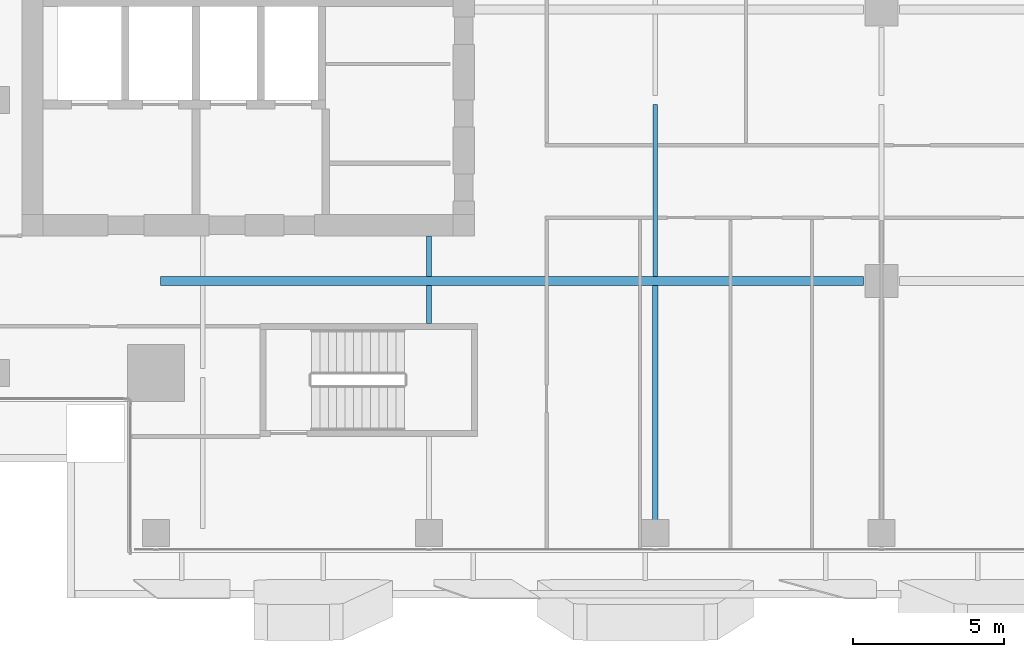
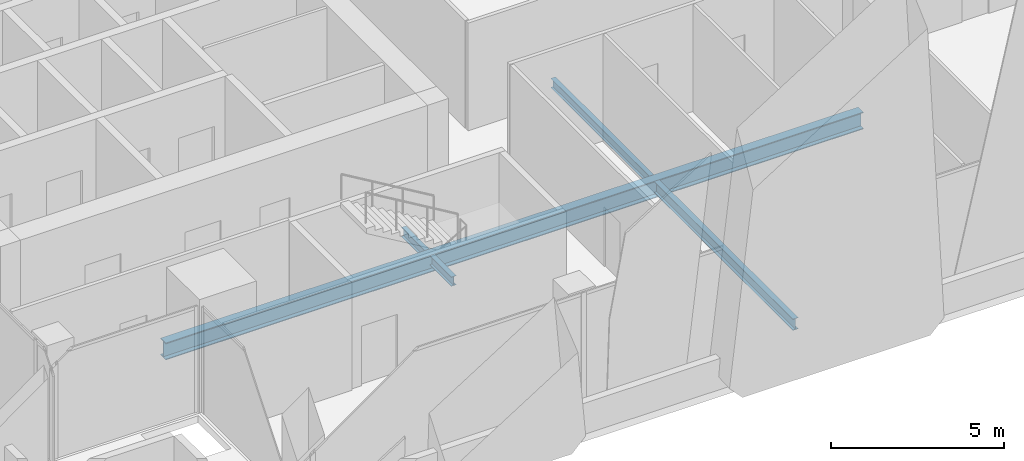
# One storey, part 6 of 33: 5 beams.
"""IFC4 building model written with IfcOpenShell, lengths in metres."""

from ifc_helpers import new_model, si_unit, direction, frame, origin, origin_2d, place, context, subcontext, project, spatial, i_section, extrude, source, transform, mapped, material, material_profile, profile_set, type_object, element, save


model = new_model("IFC4")

# Units and contexts
model_context = context("Model", 3, precision=1e-05, world=origin(), true_north=direction((0.0, 1.0)))
body_context = subcontext(model_context, "Body", "Model", "MODEL_VIEW")
ifc_project = project(units=[si_unit("LENGTHUNIT", "METRE"), si_unit("AREAUNIT", "SQUARE_METRE"), si_unit("VOLUMEUNIT", "CUBIC_METRE"), si_unit("PLANEANGLEUNIT", "RADIAN"), si_unit("MASSUNIT", "GRAM", prefix="KILO")], contexts=[model_context])

# Site, building, storey
site_placement = place(None, origin())
site = spatial("IfcSite", under=ifc_project, at=site_placement, CompositionType="ELEMENT")
building_placement = place(site_placement, origin())
building = spatial("IfcBuilding", under=site, at=building_placement, Name="Khomas Fold Tower", CompositionType="ELEMENT")
storey_placement = place(building_placement, frame((0.0, 0.0, 222.199951171875)))
storey = spatial("IfcBuildingStorey", under=building, at=storey_placement, Name="L49", CompositionType="ELEMENT", Elevation=222.199951171875)

# Beams
ifc_material_1 = material(Name="Steel S355", Category="steel")
ifc_material_profile_1 = material_profile(ifc_material_1, i_section(OverallWidth=0.159912109375, OverallDepth=0.330078125, WebThickness=0.007568359375, FlangeThickness=0.011474609375, at=origin_2d()), Name="IPE 330")
ifc_profile_set_1 = profile_set([ifc_material_profile_1], Name="Steel S355")
beam_type_1 = type_object("IfcBeamType", Name="IPE 330 beam JB1", PredefinedType="BEAM", material=ifc_profile_set_1)
shared_shape_1 = source(origin(), body_context, "Body", "SweptSolid", [
    extrude(i_section(OverallWidth=0.159912109375, OverallDepth=0.330078125, WebThickness=0.007568359375, FlangeThickness=0.011474609375, at=origin_2d()), origin(), (0.0, 0.0, 1.0), 1.25),
])
beam_1_placement = place(storey_placement, frame((19.5, 12.10009765625, -0.4150390625), z_axis=(0.0, 1.0, 0.0), x_axis=(-1.0, 0.0, 0.0)))
element("IfcBeam", 1, at=beam_1_placement, inside=storey, type_object=beam_type_1, Name="JB1", PredefinedType="BEAM", context=body_context, shape_type="MappedRepresentation", body=[
    mapped(shared_shape_1, transform((0.0, 0.0, 0.0))),
])
shared_shape_2 = source(origin(), body_context, "Body", "SweptSolid", [
    extrude(i_section(OverallWidth=0.159912109375, OverallDepth=0.330078125, WebThickness=0.007568359375, FlangeThickness=0.011474609375, at=origin_2d()), origin(), (0.0, 0.0, 1.0), 1.35009765625),
])
beam_2_placement = place(storey_placement, frame((19.5, 13.64990234375, -0.4150390625), z_axis=(0.0, 1.0, 0.0), x_axis=(-1.0, 0.0, 0.0)))
element("IfcBeam", 2, at=beam_2_placement, inside=storey, type_object=beam_type_1, Name="JB1", PredefinedType="BEAM", context=body_context, shape_type="MappedRepresentation", body=[
    mapped(shared_shape_2, transform((0.0, 0.0, 0.0))),
])
ifc_material_2 = material(Name="Steel S355", Category="steel")
ifc_material_profile_2 = material_profile(ifc_material_2, i_section(OverallWidth=0.300048828125, OverallDepth=0.60009765625, WebThickness=0.015380859375, FlangeThickness=0.030029296875, at=origin_2d()), Name="HE 600 B")
ifc_profile_set_2 = profile_set([ifc_material_profile_2], Name="Steel S355")
beam_type_2 = type_object("IfcBeamType", Name="HE 600 B beam GB5", PredefinedType="BEAM", material=ifc_profile_set_2)
shared_shape_3 = source(origin(), body_context, "Body", "SweptSolid", [
    extrude(i_section(OverallWidth=0.300048828125, OverallDepth=0.60009765625, WebThickness=0.015380859375, FlangeThickness=0.030029296875, at=origin_2d()), origin(), (0.0, 0.0, 1.0), 23.2998046875),
])
beam_3_placement = place(storey_placement, frame((10.60009765625, 13.5, -0.550048828125), z_axis=(1.0, 0.0, 0.0), x_axis=(0.0, 1.0, 0.0)))
element("IfcBeam", 3, at=beam_3_placement, inside=storey, type_object=beam_type_2, Name="GB5", PredefinedType="BEAM", context=body_context, shape_type="MappedRepresentation", body=[
    mapped(shared_shape_3, transform((0.0, 0.0, 0.0))),
])
ifc_material_3 = material(Name="Steel S355", Category="steel")
ifc_material_profile_3 = material_profile(ifc_material_3, i_section(OverallWidth=0.179931640625, OverallDepth=0.39990234375, WebThickness=0.008544921875, FlangeThickness=0.013427734375, at=origin_2d()), Name="IPE 400")
ifc_profile_set_3 = profile_set([ifc_material_profile_3], Name="Steel S355")
beam_type_3 = type_object("IfcBeamType", Name="IPE 400 beam JB3", PredefinedType="BEAM", material=ifc_profile_set_3)
shared_shape_4 = source(origin(), body_context, "Body", "SweptSolid", [
    extrude(i_section(OverallWidth=0.179931640625, OverallDepth=0.39990234375, WebThickness=0.008544921875, FlangeThickness=0.013427734375, at=origin_2d()), origin(), (0.0, 0.0, 1.0), 8.025146484375),
])
beam_4_placement = place(storey_placement, frame((27.0, 5.324951171875, -0.449951171875), z_axis=(0.0, 1.0, 0.0), x_axis=(-1.0, 0.0, 0.0)))
element("IfcBeam", 4, at=beam_4_placement, inside=storey, type_object=beam_type_3, Name="JB3", PredefinedType="BEAM", context=body_context, shape_type="MappedRepresentation", body=[
    mapped(shared_shape_4, transform((0.0, 0.0, 0.0))),
])
shared_shape_5 = source(origin(), body_context, "Body", "SweptSolid", [
    extrude(i_section(OverallWidth=0.159912109375, OverallDepth=0.330078125, WebThickness=0.007568359375, FlangeThickness=0.011474609375, at=origin_2d()), origin(), (0.0, 0.0, 1.0), 5.69921875),
])
beam_5_placement = place(storey_placement, frame((27.0, 13.64990234375, -0.4150390625), z_axis=(0.0, 1.0, 0.0), x_axis=(-1.0, 0.0, 0.0)))
element("IfcBeam", 5, at=beam_5_placement, inside=storey, type_object=beam_type_1, Name="JB1", PredefinedType="BEAM", context=body_context, shape_type="MappedRepresentation", body=[
    mapped(shared_shape_5, transform((0.0, 0.0, 0.0))),
])

save(model, "model.ifc")
